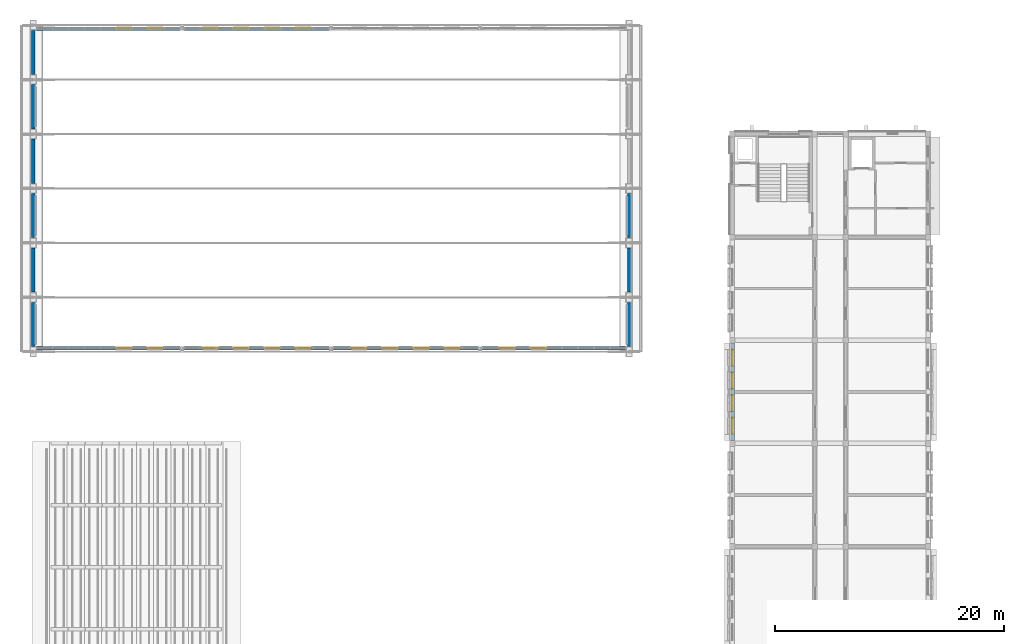
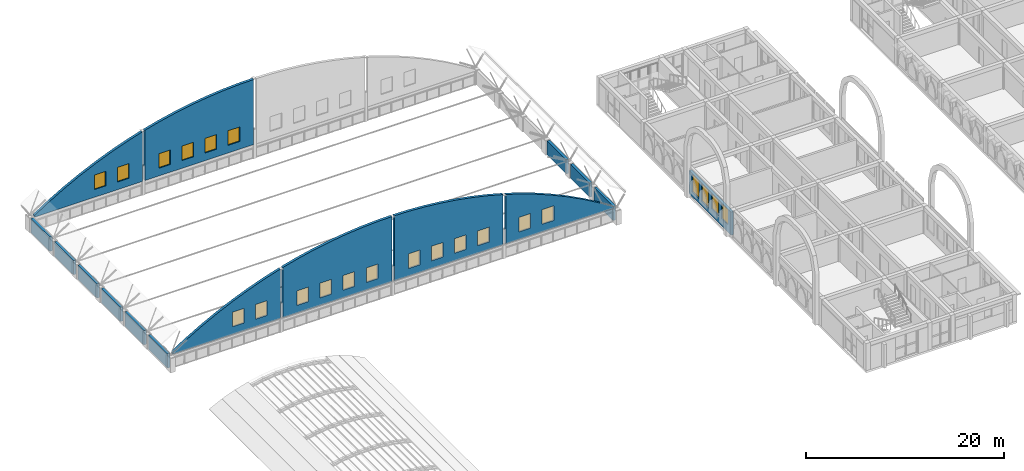
# One storey, part 36 of 65: 22 windows, 16 walls, 22 openings.
"""IFC4 building model written with IfcOpenShell, lengths in metres."""

from ifc_helpers import new_model, si_unit, direction, frame, frame_2d, origin, place, context, subcontext, project, spatial, polyline, rectangle, outline, extrude, material, layer, layer_set, type_object, element, fill, save


model = new_model("IFC4")

# Units and contexts
model_context = context("Model", 3, precision=1e-05, world=origin(), true_north=direction((0.0, 1.0)))
body_context = subcontext(model_context, "Body", "Model", "MODEL_VIEW")
ifc_project = project(units=[si_unit("LENGTHUNIT", "METRE"), si_unit("AREAUNIT", "SQUARE_METRE"), si_unit("VOLUMEUNIT", "CUBIC_METRE"), si_unit("PLANEANGLEUNIT", "RADIAN"), si_unit("MASSUNIT", "GRAM", prefix="KILO")], contexts=[model_context])

# Site, building, storey
site_placement = place(None, origin())
site = spatial("IfcSite", under=ifc_project, at=site_placement, CompositionType="ELEMENT")
building_placement = place(site_placement, origin())
building = spatial("IfcBuilding", under=site, at=building_placement, Name="Elbe Cascade School", CompositionType="ELEMENT")
storey_placement = place(building_placement, frame((0.0, 0.0, 11.699951171875)))
storey = spatial("IfcBuildingStorey", under=building, at=storey_placement, Name="L03", CompositionType="ELEMENT", Elevation=11.699951171875)

# Wall, openings, windows
ifc_material_1 = material(Name="Brick masonry - red clinker, cavity wall with render backing", Category="masonry")
ifc_layer_1 = layer(ifc_material_1, 0.300048828125)
ifc_layer_set_1 = layer_set([ifc_layer_1], Name="Brick masonry - red clinker, cavity wall with render backing")
wall_type_1 = type_object("IfcWallType", Name="Bars envelope External wall - clinker brick cavity, 300 upper floors", PredefinedType="STANDARD", material=ifc_layer_set_1)
wall_1_placement = place(storey_placement, frame((69.030029296875, 33.25, 0.0), z_axis=(0.0, 0.0, 1.0), x_axis=(0.0, 1.0, 0.0)))
wall_1 = element("IfcWall", 1, at=wall_1_placement, inside=storey, type_object=wall_type_1, Name="External wall W30 A.L03.w4", PredefinedType="STANDARD", context=body_context, shape_type="SweptSolid", body=[
    extrude(rectangle(XDim=8.5, YDim=0.300048828125, at=frame_2d((4.25, 0.0))), origin(), (0.0, 0.0, 1.0), 2.85009765625),
])
opening_1_placement = place(wall_1_placement, frame((0.580078125, 0.0, 0.89990234375)))
opening_1 = element("IfcOpeningElement", 2, at=opening_1_placement, cuts=wall_1, Name="Opening W3.020", PredefinedType="OPENING", context=body_context, shape_type="SweptSolid", body=[
    extrude(rectangle(XDim=1.39990234375, YDim=1.89990234375, at=frame_2d((0.699951171875, 0.949951171875))), frame((0.0, 0.159912109375, 0.0), z_axis=(0.0, -1.0, 0.0), x_axis=(1.0, 0.0, 0.0)), (0.0, 0.0, 1.0), 0.320068359375),
])
opening_2_placement = place(wall_1_placement, frame((2.56005859375, 0.0, 0.89990234375)))
opening_2 = element("IfcOpeningElement", 3, at=opening_2_placement, cuts=wall_1, Name="Opening W3.022", PredefinedType="OPENING", context=body_context, shape_type="SweptSolid", body=[
    extrude(rectangle(XDim=1.39990234375, YDim=1.89990234375, at=frame_2d((0.699951171875, 0.949951171875))), frame((0.0, 0.159912109375, 0.0), z_axis=(0.0, -1.0, 0.0), x_axis=(1.0, 0.0, 0.0)), (0.0, 0.0, 1.0), 0.320068359375),
])
opening_3_placement = place(wall_1_placement, frame((4.5400390625, 0.0, 0.60009765625)))
opening_3 = element("IfcOpeningElement", 4, at=opening_3_placement, cuts=wall_1, Name="Opening W3.024", PredefinedType="OPENING", context=body_context, shape_type="SweptSolid", body=[
    extrude(rectangle(XDim=1.39990234375, YDim=2.199951171875, at=frame_2d((0.699951171875, 1.10009765625))), frame((0.0, 0.159912109375, 0.0), z_axis=(0.0, -1.0, 0.0), x_axis=(1.0, 0.0, 0.0)), (0.0, 0.0, 1.0), 0.320068359375),
])
opening_4_placement = place(wall_1_placement, frame((6.52001953125, 0.0, 0.60009765625)))
opening_4 = element("IfcOpeningElement", 5, at=opening_4_placement, cuts=wall_1, Name="Opening W3.026", PredefinedType="OPENING", context=body_context, shape_type="SweptSolid", body=[
    extrude(rectangle(XDim=1.39990234375, YDim=2.199951171875, at=frame_2d((0.699951171875, 1.10009765625))), frame((0.0, 0.159912109375, 0.0), z_axis=(0.0, -1.0, 0.0), x_axis=(1.0, 0.0, 0.0)), (0.0, 0.0, 1.0), 0.320068359375),
])
ifc_material_2 = material(Name="Aluminium frame with double glazing, bronze anodised", Category="aluminium")
window_type_1 = type_object("IfcWindowType", Name="Bars envelope Window 1400 x 1900, laboratory and office, bench height sill, aluminium double glazed", PartitioningType="DOUBLE_PANEL_VERTICAL", PredefinedType="WINDOW", material=ifc_material_2)
window_1_placement = place(opening_1_placement, origin())
window_1 = element("IfcWindow", 6, at=window_1_placement, inside=storey, type_object=window_type_1, Name="Window WN6 A.L03.w4.1", OverallHeight=1.89990234375, OverallWidth=1.39990234375, PartitioningType="DOUBLE_PANEL_VERTICAL", PredefinedType="WINDOW", context=body_context, shape_type="SweptSolid", body=[
    extrude(rectangle(XDim=1.39990234375, YDim=1.89990234375, at=frame_2d((0.699951171875, 0.949951171875))), frame((0.0, 0.030029296875, 0.0), z_axis=(0.0, -1.0, 0.0), x_axis=(1.0, 0.0, 0.0)), (0.0, 0.0, 1.0), 0.06005859375),
])
fill(opening_1, window_1)
window_2_placement = place(opening_2_placement, origin())
window_2 = element("IfcWindow", 7, at=window_2_placement, inside=storey, type_object=window_type_1, Name="Window WN6 A.L03.w4.2", OverallHeight=1.89990234375, OverallWidth=1.39990234375, PartitioningType="DOUBLE_PANEL_VERTICAL", PredefinedType="WINDOW", context=body_context, shape_type="SweptSolid", body=[
    extrude(rectangle(XDim=1.39990234375, YDim=1.89990234375, at=frame_2d((0.699951171875, 0.949951171875))), frame((0.0, 0.030029296875, 0.0), z_axis=(0.0, -1.0, 0.0), x_axis=(1.0, 0.0, 0.0)), (0.0, 0.0, 1.0), 0.06005859375),
])
fill(opening_2, window_2)
ifc_material_3 = material(Name="Aluminium frame with double glazing, bronze anodised", Category="aluminium")
window_type_2 = type_object("IfcWindowType", Name="Bars envelope Window 1400 x 2200, classroom, aluminium double glazed", PartitioningType="DOUBLE_PANEL_VERTICAL", PredefinedType="WINDOW", material=ifc_material_3)
window_3_placement = place(opening_3_placement, origin())
window_3 = element("IfcWindow", 8, at=window_3_placement, inside=storey, type_object=window_type_2, Name="Window WN7 A.L03.w4.3", OverallHeight=2.199951171875, OverallWidth=1.39990234375, PartitioningType="DOUBLE_PANEL_VERTICAL", PredefinedType="WINDOW", context=body_context, shape_type="SweptSolid", body=[
    extrude(rectangle(XDim=1.39990234375, YDim=2.199951171875, at=frame_2d((0.699951171875, 1.10009765625))), frame((0.0, 0.030029296875, 0.0), z_axis=(0.0, -1.0, 0.0), x_axis=(1.0, 0.0, 0.0)), (0.0, 0.0, 1.0), 0.06005859375),
])
fill(opening_3, window_3)
window_4_placement = place(opening_4_placement, origin())
window_4 = element("IfcWindow", 9, at=window_4_placement, inside=storey, type_object=window_type_2, Name="Window WN7 A.L03.w4.4", OverallHeight=2.199951171875, OverallWidth=1.39990234375, PartitioningType="DOUBLE_PANEL_VERTICAL", PredefinedType="WINDOW", context=body_context, shape_type="SweptSolid", body=[
    extrude(rectangle(XDim=1.39990234375, YDim=2.199951171875, at=frame_2d((0.699951171875, 1.10009765625))), frame((0.0, 0.030029296875, 0.0), z_axis=(0.0, -1.0, 0.0), x_axis=(1.0, 0.0, 0.0)), (0.0, 0.0, 1.0), 0.06005859375),
])
fill(opening_4, window_4)

ifc_material_4 = material(Name="Brick masonry - red clinker", Category="masonry")
ifc_layer_2 = layer(ifc_material_4, 0.300048828125)
ifc_layer_set_2 = layer_set([ifc_layer_2], Name="Brick masonry - red clinker")
wall_type_2 = type_object("IfcWallType", Name="Hall brick gable wall 300", PredefinedType="SOLIDWALL", material=ifc_layer_set_2)
wall_2_placement = place(storey_placement, frame((8.300048828125, 41.300048828125, 1.75), z_axis=(0.0, 0.0, 1.0), x_axis=(1.0, 0.0, 0.0)))
wall_2 = element("IfcWall", 10, at=wall_2_placement, inside=storey, type_object=wall_type_2, Name="Brick gable S1", PredefinedType="SOLIDWALL", context=body_context, shape_type="SweptSolid", body=[
    extrude(outline(polyline([(0.0, 0.0), (12.550048828125, 0.0), (12.550048828125, 6.11328125), (10.843017578125, 5.572265625), (8.985595703125, 4.895751953125), (7.128662109375, 4.126953125), (5.271484375, 3.26025390625), (3.414306640625, 2.2900390625), (1.55712890625, 1.208251953125), (0.0, 0.203369140625), (0.0, 0.0)])), frame((0.0, 0.14990234375, 0.0), z_axis=(0.0, -1.0, 0.0), x_axis=(1.0, 0.0, 0.0)), (0.0, 0.0, 1.0), 0.300048828125),
])
opening_5_placement = place(wall_2_placement, frame((6.949951171875, 0.0, 0.949951171875)))
opening_5 = element("IfcOpeningElement", 11, at=opening_5_placement, cuts=wall_2, Name="Opening W3.083", PredefinedType="OPENING", context=body_context, shape_type="SweptSolid", body=[
    extrude(rectangle(XDim=1.35009765625, YDim=1.800048828125, at=frame_2d((0.675048828125, 0.89990234375))), frame((0.0, 0.159912109375, 0.0), z_axis=(0.0, -1.0, 0.0), x_axis=(1.0, 0.0, 0.0)), (0.0, 0.0, 1.0), 0.320068359375),
])
opening_6_placement = place(wall_2_placement, frame((9.64990234375, 0.0, 0.949951171875)))
opening_6 = element("IfcOpeningElement", 12, at=opening_6_placement, cuts=wall_2, Name="Opening W3.084", PredefinedType="OPENING", context=body_context, shape_type="SweptSolid", body=[
    extrude(rectangle(XDim=1.35009765625, YDim=1.800048828125, at=frame_2d((0.675048828125, 0.89990234375))), frame((0.0, 0.159912109375, 0.0), z_axis=(0.0, -1.0, 0.0), x_axis=(1.0, 0.0, 0.0)), (0.0, 0.0, 1.0), 0.320068359375),
])
ifc_material_5 = material(Name="Glass - double glazed low-E", Category="glass")
window_type_3 = type_object("IfcWindowType", Name="Hall gable window 1350x1800", PartitioningType="SINGLE_PANEL", PredefinedType="WINDOW", material=ifc_material_5)
window_5_placement = place(opening_5_placement, origin())
window_5 = element("IfcWindow", 13, at=window_5_placement, inside=storey, type_object=window_type_3, Name="Gable window S1.1", OverallHeight=1.800048828125, OverallWidth=1.35009765625, PartitioningType="SINGLE_PANEL", PredefinedType="WINDOW", context=body_context, shape_type="SweptSolid", body=[
    extrude(rectangle(XDim=1.35009765625, YDim=1.800048828125, at=frame_2d((0.675048828125, 0.89990234375))), frame((0.0, 0.030029296875, 0.0), z_axis=(0.0, -1.0, 0.0), x_axis=(1.0, 0.0, 0.0)), (0.0, 0.0, 1.0), 0.06005859375),
])
fill(opening_5, window_5)
window_6_placement = place(opening_6_placement, origin())
window_6 = element("IfcWindow", 14, at=window_6_placement, inside=storey, type_object=window_type_3, Name="Gable window S1.2", OverallHeight=1.800048828125, OverallWidth=1.35009765625, PartitioningType="SINGLE_PANEL", PredefinedType="WINDOW", context=body_context, shape_type="SweptSolid", body=[
    extrude(rectangle(XDim=1.35009765625, YDim=1.800048828125, at=frame_2d((0.675048828125, 0.89990234375))), frame((0.0, 0.030029296875, 0.0), z_axis=(0.0, -1.0, 0.0), x_axis=(1.0, 0.0, 0.0)), (0.0, 0.0, 1.0), 0.06005859375),
])
fill(opening_6, window_6)

wall_3_placement = place(storey_placement, frame((21.14990234375, 41.300048828125, 1.75), z_axis=(0.0, 0.0, 1.0), x_axis=(1.0, 0.0, 0.0)))
wall_3 = element("IfcWall", 15, at=wall_3_placement, inside=storey, type_object=wall_type_2, Name="Brick gable S2", PredefinedType="SOLIDWALL", context=body_context, shape_type="SweptSolid", body=[
    extrude(outline(polyline([(0.0, 0.0), (12.7001953125, 0.0), (12.699951171875, 8.027587890625), (10.992919921875, 7.9931640625), (9.1357421875, 7.880615234375), (7.278564453125, 7.692626953125), (5.42138671875, 7.42822265625), (3.564208984375, 7.0859375), (1.70703125, 6.664306640625), (0.0, 6.20263671875), (0.0, 0.0)])), frame((0.0, 0.14990234375, 0.0), z_axis=(0.0, -1.0, 0.0), x_axis=(1.0, 0.0, 0.0)), (0.0, 0.0, 1.0), 0.300048828125),
])
opening_7_placement = place(wall_3_placement, frame((1.625, 0.0, 0.949951171875)))
opening_7 = element("IfcOpeningElement", 16, at=opening_7_placement, cuts=wall_3, Name="Opening W3.085", PredefinedType="OPENING", context=body_context, shape_type="SweptSolid", body=[
    extrude(rectangle(XDim=1.35009765625, YDim=1.800048828125, at=frame_2d((0.675048828125, 0.89990234375))), frame((0.0, 0.159912109375, 0.0), z_axis=(0.0, -1.0, 0.0), x_axis=(1.0, 0.0, 0.0)), (0.0, 0.0, 1.0), 0.320068359375),
])
opening_8_placement = place(wall_3_placement, frame((4.324951171875, 0.0, 0.949951171875)))
opening_8 = element("IfcOpeningElement", 17, at=opening_8_placement, cuts=wall_3, Name="Opening W3.086", PredefinedType="OPENING", context=body_context, shape_type="SweptSolid", body=[
    extrude(rectangle(XDim=1.35009765625, YDim=1.800048828125, at=frame_2d((0.675048828125, 0.89990234375))), frame((0.0, 0.159912109375, 0.0), z_axis=(0.0, -1.0, 0.0), x_axis=(1.0, 0.0, 0.0)), (0.0, 0.0, 1.0), 0.320068359375),
])
opening_9_placement = place(wall_3_placement, frame((7.02490234375, 0.0, 0.949951171875)))
opening_9 = element("IfcOpeningElement", 18, at=opening_9_placement, cuts=wall_3, Name="Opening W3.087", PredefinedType="OPENING", context=body_context, shape_type="SweptSolid", body=[
    extrude(rectangle(XDim=1.35009765625, YDim=1.800048828125, at=frame_2d((0.675048828125, 0.89990234375))), frame((0.0, 0.159912109375, 0.0), z_axis=(0.0, -1.0, 0.0), x_axis=(1.0, 0.0, 0.0)), (0.0, 0.0, 1.0), 0.320068359375),
])
opening_10_placement = place(wall_3_placement, frame((9.72509765625, 0.0, 0.949951171875)))
opening_10 = element("IfcOpeningElement", 19, at=opening_10_placement, cuts=wall_3, Name="Opening W3.088", PredefinedType="OPENING", context=body_context, shape_type="SweptSolid", body=[
    extrude(rectangle(XDim=1.35009765625, YDim=1.800048828125, at=frame_2d((0.675048828125, 0.89990234375))), frame((0.0, 0.159912109375, 0.0), z_axis=(0.0, -1.0, 0.0), x_axis=(1.0, 0.0, 0.0)), (0.0, 0.0, 1.0), 0.320068359375),
])
window_7_placement = place(opening_7_placement, origin())
window_7 = element("IfcWindow", 20, at=window_7_placement, inside=storey, type_object=window_type_3, Name="Gable window S2.1", OverallHeight=1.800048828125, OverallWidth=1.35009765625, PartitioningType="SINGLE_PANEL", PredefinedType="WINDOW", context=body_context, shape_type="SweptSolid", body=[
    extrude(rectangle(XDim=1.35009765625, YDim=1.800048828125, at=frame_2d((0.675048828125, 0.89990234375))), frame((0.0, 0.030029296875, 0.0), z_axis=(0.0, -1.0, 0.0), x_axis=(1.0, 0.0, 0.0)), (0.0, 0.0, 1.0), 0.06005859375),
])
fill(opening_7, window_7)
window_8_placement = place(opening_8_placement, origin())
window_8 = element("IfcWindow", 21, at=window_8_placement, inside=storey, type_object=window_type_3, Name="Gable window S2.2", OverallHeight=1.800048828125, OverallWidth=1.35009765625, PartitioningType="SINGLE_PANEL", PredefinedType="WINDOW", context=body_context, shape_type="SweptSolid", body=[
    extrude(rectangle(XDim=1.35009765625, YDim=1.800048828125, at=frame_2d((0.675048828125, 0.89990234375))), frame((0.0, 0.030029296875, 0.0), z_axis=(0.0, -1.0, 0.0), x_axis=(1.0, 0.0, 0.0)), (0.0, 0.0, 1.0), 0.06005859375),
])
fill(opening_8, window_8)
window_9_placement = place(opening_9_placement, origin())
window_9 = element("IfcWindow", 22, at=window_9_placement, inside=storey, type_object=window_type_3, Name="Gable window S2.3", OverallHeight=1.800048828125, OverallWidth=1.35009765625, PartitioningType="SINGLE_PANEL", PredefinedType="WINDOW", context=body_context, shape_type="SweptSolid", body=[
    extrude(rectangle(XDim=1.35009765625, YDim=1.800048828125, at=frame_2d((0.675048828125, 0.89990234375))), frame((0.0, 0.030029296875, 0.0), z_axis=(0.0, -1.0, 0.0), x_axis=(1.0, 0.0, 0.0)), (0.0, 0.0, 1.0), 0.06005859375),
])
fill(opening_9, window_9)
window_10_placement = place(opening_10_placement, origin())
window_10 = element("IfcWindow", 23, at=window_10_placement, inside=storey, type_object=window_type_3, Name="Gable window S2.4", OverallHeight=1.800048828125, OverallWidth=1.35009765625, PartitioningType="SINGLE_PANEL", PredefinedType="WINDOW", context=body_context, shape_type="SweptSolid", body=[
    extrude(rectangle(XDim=1.35009765625, YDim=1.800048828125, at=frame_2d((0.675048828125, 0.89990234375))), frame((0.0, 0.030029296875, 0.0), z_axis=(0.0, -1.0, 0.0), x_axis=(1.0, 0.0, 0.0)), (0.0, 0.0, 1.0), 0.06005859375),
])
fill(opening_10, window_10)

wall_4_placement = place(storey_placement, frame((34.14990234375, 41.300048828125, 1.75), z_axis=(0.0, 0.0, 1.0), x_axis=(1.0, 0.0, 0.0)))
wall_4 = element("IfcWall", 24, at=wall_4_placement, inside=storey, type_object=wall_type_2, Name="Brick gable S3", PredefinedType="SOLIDWALL", context=body_context, shape_type="SweptSolid", body=[
    extrude(outline(polyline([(0.0, 0.0), (12.7001953125, 0.0), (12.699951171875, 6.20263671875), (10.992919921875, 6.664306640625), (9.1357421875, 7.0859375), (7.278564453125, 7.42822265625), (5.42138671875, 7.692626953125), (3.564208984375, 7.880615234375), (1.70703125, 7.9931640625), (0.0, 8.027587890625), (0.0, 0.0)])), frame((0.0, 0.14990234375, 0.0), z_axis=(0.0, -1.0, 0.0), x_axis=(1.0, 0.0, 0.0)), (0.0, 0.0, 1.0), 0.300048828125),
])
opening_11_placement = place(wall_4_placement, frame((1.625, 0.0, 0.949951171875)))
opening_11 = element("IfcOpeningElement", 25, at=opening_11_placement, cuts=wall_4, Name="Opening W3.089", PredefinedType="OPENING", context=body_context, shape_type="SweptSolid", body=[
    extrude(rectangle(XDim=1.35009765625, YDim=1.800048828125, at=frame_2d((0.675048828125, 0.89990234375))), frame((0.0, 0.159912109375, 0.0), z_axis=(0.0, -1.0, 0.0), x_axis=(1.0, 0.0, 0.0)), (0.0, 0.0, 1.0), 0.320068359375),
])
opening_12_placement = place(wall_4_placement, frame((4.324951171875, 0.0, 0.949951171875)))
opening_12 = element("IfcOpeningElement", 26, at=opening_12_placement, cuts=wall_4, Name="Opening W3.090", PredefinedType="OPENING", context=body_context, shape_type="SweptSolid", body=[
    extrude(rectangle(XDim=1.35009765625, YDim=1.800048828125, at=frame_2d((0.675048828125, 0.89990234375))), frame((0.0, 0.159912109375, 0.0), z_axis=(0.0, -1.0, 0.0), x_axis=(1.0, 0.0, 0.0)), (0.0, 0.0, 1.0), 0.320068359375),
])
opening_13_placement = place(wall_4_placement, frame((7.02490234375, 0.0, 0.949951171875)))
opening_13 = element("IfcOpeningElement", 27, at=opening_13_placement, cuts=wall_4, Name="Opening W3.091", PredefinedType="OPENING", context=body_context, shape_type="SweptSolid", body=[
    extrude(rectangle(XDim=1.35009765625, YDim=1.800048828125, at=frame_2d((0.675048828125, 0.89990234375))), frame((0.0, 0.159912109375, 0.0), z_axis=(0.0, -1.0, 0.0), x_axis=(1.0, 0.0, 0.0)), (0.0, 0.0, 1.0), 0.320068359375),
])
opening_14_placement = place(wall_4_placement, frame((9.72509765625, 0.0, 0.949951171875)))
opening_14 = element("IfcOpeningElement", 28, at=opening_14_placement, cuts=wall_4, Name="Opening W3.092", PredefinedType="OPENING", context=body_context, shape_type="SweptSolid", body=[
    extrude(rectangle(XDim=1.35009765625, YDim=1.800048828125, at=frame_2d((0.675048828125, 0.89990234375))), frame((0.0, 0.159912109375, 0.0), z_axis=(0.0, -1.0, 0.0), x_axis=(1.0, 0.0, 0.0)), (0.0, 0.0, 1.0), 0.320068359375),
])
window_11_placement = place(opening_11_placement, origin())
window_11 = element("IfcWindow", 29, at=window_11_placement, inside=storey, type_object=window_type_3, Name="Gable window S3.1", OverallHeight=1.800048828125, OverallWidth=1.35009765625, PartitioningType="SINGLE_PANEL", PredefinedType="WINDOW", context=body_context, shape_type="SweptSolid", body=[
    extrude(rectangle(XDim=1.35009765625, YDim=1.800048828125, at=frame_2d((0.675048828125, 0.89990234375))), frame((0.0, 0.030029296875, 0.0), z_axis=(0.0, -1.0, 0.0), x_axis=(1.0, 0.0, 0.0)), (0.0, 0.0, 1.0), 0.06005859375),
])
fill(opening_11, window_11)
window_12_placement = place(opening_12_placement, origin())
window_12 = element("IfcWindow", 30, at=window_12_placement, inside=storey, type_object=window_type_3, Name="Gable window S3.2", OverallHeight=1.800048828125, OverallWidth=1.35009765625, PartitioningType="SINGLE_PANEL", PredefinedType="WINDOW", context=body_context, shape_type="SweptSolid", body=[
    extrude(rectangle(XDim=1.35009765625, YDim=1.800048828125, at=frame_2d((0.675048828125, 0.89990234375))), frame((0.0, 0.030029296875, 0.0), z_axis=(0.0, -1.0, 0.0), x_axis=(1.0, 0.0, 0.0)), (0.0, 0.0, 1.0), 0.06005859375),
])
fill(opening_12, window_12)
window_13_placement = place(opening_13_placement, origin())
window_13 = element("IfcWindow", 31, at=window_13_placement, inside=storey, type_object=window_type_3, Name="Gable window S3.3", OverallHeight=1.800048828125, OverallWidth=1.35009765625, PartitioningType="SINGLE_PANEL", PredefinedType="WINDOW", context=body_context, shape_type="SweptSolid", body=[
    extrude(rectangle(XDim=1.35009765625, YDim=1.800048828125, at=frame_2d((0.675048828125, 0.89990234375))), frame((0.0, 0.030029296875, 0.0), z_axis=(0.0, -1.0, 0.0), x_axis=(1.0, 0.0, 0.0)), (0.0, 0.0, 1.0), 0.06005859375),
])
fill(opening_13, window_13)
window_14_placement = place(opening_14_placement, origin())
window_14 = element("IfcWindow", 32, at=window_14_placement, inside=storey, type_object=window_type_3, Name="Gable window S3.4", OverallHeight=1.800048828125, OverallWidth=1.35009765625, PartitioningType="SINGLE_PANEL", PredefinedType="WINDOW", context=body_context, shape_type="SweptSolid", body=[
    extrude(rectangle(XDim=1.35009765625, YDim=1.800048828125, at=frame_2d((0.675048828125, 0.89990234375))), frame((0.0, 0.030029296875, 0.0), z_axis=(0.0, -1.0, 0.0), x_axis=(1.0, 0.0, 0.0)), (0.0, 0.0, 1.0), 0.06005859375),
])
fill(opening_14, window_14)

wall_5_placement = place(storey_placement, frame((47.14990234375, 41.300048828125, 1.75), z_axis=(0.0, 0.0, 1.0), x_axis=(1.0, 0.0, 0.0)))
wall_5 = element("IfcWall", 33, at=wall_5_placement, inside=storey, type_object=wall_type_2, Name="Brick gable S4", PredefinedType="SOLIDWALL", context=body_context, shape_type="SweptSolid", body=[
    extrude(outline(polyline([(0.0, 0.0), (12.550048828125, 0.0), (12.550048828125, 0.203369140625), (10.992919921875, 1.208251953125), (9.1357421875, 2.2900390625), (7.278564453125, 3.26025390625), (5.42138671875, 4.126953125), (3.564208984375, 4.895751953125), (1.70703125, 5.572265625), (0.0, 6.11328125), (0.0, 0.0)])), frame((0.0, 0.14990234375, 0.0), z_axis=(0.0, -1.0, 0.0), x_axis=(1.0, 0.0, 0.0)), (0.0, 0.0, 1.0), 0.300048828125),
])
opening_15_placement = place(wall_5_placement, frame((1.550048828125, 0.0, 0.949951171875)))
opening_15 = element("IfcOpeningElement", 34, at=opening_15_placement, cuts=wall_5, Name="Opening W3.093", PredefinedType="OPENING", context=body_context, shape_type="SweptSolid", body=[
    extrude(rectangle(XDim=1.35009765625, YDim=1.800048828125, at=frame_2d((0.675048828125, 0.89990234375))), frame((0.0, 0.159912109375, 0.0), z_axis=(0.0, -1.0, 0.0), x_axis=(1.0, 0.0, 0.0)), (0.0, 0.0, 1.0), 0.320068359375),
])
opening_16_placement = place(wall_5_placement, frame((4.25, 0.0, 0.949951171875)))
opening_16 = element("IfcOpeningElement", 35, at=opening_16_placement, cuts=wall_5, Name="Opening W3.094", PredefinedType="OPENING", context=body_context, shape_type="SweptSolid", body=[
    extrude(rectangle(XDim=1.35009765625, YDim=1.800048828125, at=frame_2d((0.675048828125, 0.89990234375))), frame((0.0, 0.159912109375, 0.0), z_axis=(0.0, -1.0, 0.0), x_axis=(1.0, 0.0, 0.0)), (0.0, 0.0, 1.0), 0.320068359375),
])
window_15_placement = place(opening_15_placement, origin())
window_15 = element("IfcWindow", 36, at=window_15_placement, inside=storey, type_object=window_type_3, Name="Gable window S4.1", OverallHeight=1.800048828125, OverallWidth=1.35009765625, PartitioningType="SINGLE_PANEL", PredefinedType="WINDOW", context=body_context, shape_type="SweptSolid", body=[
    extrude(rectangle(XDim=1.35009765625, YDim=1.800048828125, at=frame_2d((0.675048828125, 0.89990234375))), frame((0.0, 0.030029296875, 0.0), z_axis=(0.0, -1.0, 0.0), x_axis=(1.0, 0.0, 0.0)), (0.0, 0.0, 1.0), 0.06005859375),
])
fill(opening_15, window_15)
window_16_placement = place(opening_16_placement, origin())
window_16 = element("IfcWindow", 37, at=window_16_placement, inside=storey, type_object=window_type_3, Name="Gable window S4.2", OverallHeight=1.800048828125, OverallWidth=1.35009765625, PartitioningType="SINGLE_PANEL", PredefinedType="WINDOW", context=body_context, shape_type="SweptSolid", body=[
    extrude(rectangle(XDim=1.35009765625, YDim=1.800048828125, at=frame_2d((0.675048828125, 0.89990234375))), frame((0.0, 0.030029296875, 0.0), z_axis=(0.0, -1.0, 0.0), x_axis=(1.0, 0.0, 0.0)), (0.0, 0.0, 1.0), 0.06005859375),
])
fill(opening_16, window_16)

wall_6_placement = place(storey_placement, frame((8.300048828125, 69.199951171875, 1.75), z_axis=(0.0, 0.0, 1.0), x_axis=(1.0, 0.0, 0.0)))
wall_6 = element("IfcWall", 38, at=wall_6_placement, inside=storey, type_object=wall_type_2, Name="Brick gable N1", PredefinedType="SOLIDWALL", context=body_context, shape_type="SweptSolid", body=[
    extrude(outline(polyline([(0.0, 0.0), (12.550048828125, 0.0), (12.550048828125, 6.11328125), (10.843017578125, 5.572265625), (8.985595703125, 4.895751953125), (7.128662109375, 4.126953125), (5.271484375, 3.26025390625), (3.414306640625, 2.2900390625), (1.55712890625, 1.208251953125), (0.0, 0.203369140625), (0.0, 0.0)])), frame((0.0, 0.14990234375, 0.0), z_axis=(0.0, -1.0, 0.0), x_axis=(1.0, 0.0, 0.0)), (0.0, 0.0, 1.0), 0.300048828125),
])
opening_17_placement = place(wall_6_placement, frame((6.949951171875, 0.0, 0.949951171875)))
opening_17 = element("IfcOpeningElement", 39, at=opening_17_placement, cuts=wall_6, Name="Opening W3.095", PredefinedType="OPENING", context=body_context, shape_type="SweptSolid", body=[
    extrude(rectangle(XDim=1.35009765625, YDim=1.800048828125, at=frame_2d((0.675048828125, 0.89990234375))), frame((0.0, 0.159912109375, 0.0), z_axis=(0.0, -1.0, 0.0), x_axis=(1.0, 0.0, 0.0)), (0.0, 0.0, 1.0), 0.320068359375),
])
opening_18_placement = place(wall_6_placement, frame((9.64990234375, 0.0, 0.949951171875)))
opening_18 = element("IfcOpeningElement", 40, at=opening_18_placement, cuts=wall_6, Name="Opening W3.096", PredefinedType="OPENING", context=body_context, shape_type="SweptSolid", body=[
    extrude(rectangle(XDim=1.35009765625, YDim=1.800048828125, at=frame_2d((0.675048828125, 0.89990234375))), frame((0.0, 0.159912109375, 0.0), z_axis=(0.0, -1.0, 0.0), x_axis=(1.0, 0.0, 0.0)), (0.0, 0.0, 1.0), 0.320068359375),
])
window_17_placement = place(opening_17_placement, origin())
window_17 = element("IfcWindow", 41, at=window_17_placement, inside=storey, type_object=window_type_3, Name="Gable window N1.1", OverallHeight=1.800048828125, OverallWidth=1.35009765625, PartitioningType="SINGLE_PANEL", PredefinedType="WINDOW", context=body_context, shape_type="SweptSolid", body=[
    extrude(rectangle(XDim=1.35009765625, YDim=1.800048828125, at=frame_2d((0.675048828125, 0.89990234375))), frame((0.0, 0.030029296875, 0.0), z_axis=(0.0, -1.0, 0.0), x_axis=(1.0, 0.0, 0.0)), (0.0, 0.0, 1.0), 0.06005859375),
])
fill(opening_17, window_17)
window_18_placement = place(opening_18_placement, origin())
window_18 = element("IfcWindow", 42, at=window_18_placement, inside=storey, type_object=window_type_3, Name="Gable window N1.2", OverallHeight=1.800048828125, OverallWidth=1.35009765625, PartitioningType="SINGLE_PANEL", PredefinedType="WINDOW", context=body_context, shape_type="SweptSolid", body=[
    extrude(rectangle(XDim=1.35009765625, YDim=1.800048828125, at=frame_2d((0.675048828125, 0.89990234375))), frame((0.0, 0.030029296875, 0.0), z_axis=(0.0, -1.0, 0.0), x_axis=(1.0, 0.0, 0.0)), (0.0, 0.0, 1.0), 0.06005859375),
])
fill(opening_18, window_18)

wall_7_placement = place(storey_placement, frame((21.14990234375, 69.199951171875, 1.75), z_axis=(0.0, 0.0, 1.0), x_axis=(1.0, 0.0, 0.0)))
wall_7 = element("IfcWall", 43, at=wall_7_placement, inside=storey, type_object=wall_type_2, Name="Brick gable N2", PredefinedType="SOLIDWALL", context=body_context, shape_type="SweptSolid", body=[
    extrude(outline(polyline([(0.0, 0.0), (12.7001953125, 0.0), (12.699951171875, 8.027587890625), (10.992919921875, 7.9931640625), (9.1357421875, 7.880615234375), (7.278564453125, 7.692626953125), (5.42138671875, 7.42822265625), (3.564208984375, 7.0859375), (1.70703125, 6.664306640625), (0.0, 6.20263671875), (0.0, 0.0)])), frame((0.0, 0.14990234375, 0.0), z_axis=(0.0, -1.0, 0.0), x_axis=(1.0, 0.0, 0.0)), (0.0, 0.0, 1.0), 0.300048828125),
])
opening_19_placement = place(wall_7_placement, frame((1.625, 0.0, 0.949951171875)))
opening_19 = element("IfcOpeningElement", 44, at=opening_19_placement, cuts=wall_7, Name="Opening W3.097", PredefinedType="OPENING", context=body_context, shape_type="SweptSolid", body=[
    extrude(rectangle(XDim=1.35009765625, YDim=1.800048828125, at=frame_2d((0.675048828125, 0.89990234375))), frame((0.0, 0.159912109375, 0.0), z_axis=(0.0, -1.0, 0.0), x_axis=(1.0, 0.0, 0.0)), (0.0, 0.0, 1.0), 0.320068359375),
])
opening_20_placement = place(wall_7_placement, frame((4.324951171875, 0.0, 0.949951171875)))
opening_20 = element("IfcOpeningElement", 45, at=opening_20_placement, cuts=wall_7, Name="Opening W3.098", PredefinedType="OPENING", context=body_context, shape_type="SweptSolid", body=[
    extrude(rectangle(XDim=1.35009765625, YDim=1.800048828125, at=frame_2d((0.675048828125, 0.89990234375))), frame((0.0, 0.159912109375, 0.0), z_axis=(0.0, -1.0, 0.0), x_axis=(1.0, 0.0, 0.0)), (0.0, 0.0, 1.0), 0.320068359375),
])
opening_21_placement = place(wall_7_placement, frame((7.02490234375, 0.0, 0.949951171875)))
opening_21 = element("IfcOpeningElement", 46, at=opening_21_placement, cuts=wall_7, Name="Opening W3.099", PredefinedType="OPENING", context=body_context, shape_type="SweptSolid", body=[
    extrude(rectangle(XDim=1.35009765625, YDim=1.800048828125, at=frame_2d((0.675048828125, 0.89990234375))), frame((0.0, 0.159912109375, 0.0), z_axis=(0.0, -1.0, 0.0), x_axis=(1.0, 0.0, 0.0)), (0.0, 0.0, 1.0), 0.320068359375),
])
opening_22_placement = place(wall_7_placement, frame((9.72509765625, 0.0, 0.949951171875)))
opening_22 = element("IfcOpeningElement", 47, at=opening_22_placement, cuts=wall_7, Name="Opening W3.100", PredefinedType="OPENING", context=body_context, shape_type="SweptSolid", body=[
    extrude(rectangle(XDim=1.35009765625, YDim=1.800048828125, at=frame_2d((0.675048828125, 0.89990234375))), frame((0.0, 0.159912109375, 0.0), z_axis=(0.0, -1.0, 0.0), x_axis=(1.0, 0.0, 0.0)), (0.0, 0.0, 1.0), 0.320068359375),
])
window_19_placement = place(opening_19_placement, origin())
window_19 = element("IfcWindow", 48, at=window_19_placement, inside=storey, type_object=window_type_3, Name="Gable window N2.1", OverallHeight=1.800048828125, OverallWidth=1.35009765625, PartitioningType="SINGLE_PANEL", PredefinedType="WINDOW", context=body_context, shape_type="SweptSolid", body=[
    extrude(rectangle(XDim=1.35009765625, YDim=1.800048828125, at=frame_2d((0.675048828125, 0.89990234375))), frame((0.0, 0.030029296875, 0.0), z_axis=(0.0, -1.0, 0.0), x_axis=(1.0, 0.0, 0.0)), (0.0, 0.0, 1.0), 0.06005859375),
])
fill(opening_19, window_19)
window_20_placement = place(opening_20_placement, origin())
window_20 = element("IfcWindow", 49, at=window_20_placement, inside=storey, type_object=window_type_3, Name="Gable window N2.2", OverallHeight=1.800048828125, OverallWidth=1.35009765625, PartitioningType="SINGLE_PANEL", PredefinedType="WINDOW", context=body_context, shape_type="SweptSolid", body=[
    extrude(rectangle(XDim=1.35009765625, YDim=1.800048828125, at=frame_2d((0.675048828125, 0.89990234375))), frame((0.0, 0.030029296875, 0.0), z_axis=(0.0, -1.0, 0.0), x_axis=(1.0, 0.0, 0.0)), (0.0, 0.0, 1.0), 0.06005859375),
])
fill(opening_20, window_20)
window_21_placement = place(opening_21_placement, origin())
window_21 = element("IfcWindow", 50, at=window_21_placement, inside=storey, type_object=window_type_3, Name="Gable window N2.3", OverallHeight=1.800048828125, OverallWidth=1.35009765625, PartitioningType="SINGLE_PANEL", PredefinedType="WINDOW", context=body_context, shape_type="SweptSolid", body=[
    extrude(rectangle(XDim=1.35009765625, YDim=1.800048828125, at=frame_2d((0.675048828125, 0.89990234375))), frame((0.0, 0.030029296875, 0.0), z_axis=(0.0, -1.0, 0.0), x_axis=(1.0, 0.0, 0.0)), (0.0, 0.0, 1.0), 0.06005859375),
])
fill(opening_21, window_21)
window_22_placement = place(opening_22_placement, origin())
window_22 = element("IfcWindow", 51, at=window_22_placement, inside=storey, type_object=window_type_3, Name="Gable window N2.4", OverallHeight=1.800048828125, OverallWidth=1.35009765625, PartitioningType="SINGLE_PANEL", PredefinedType="WINDOW", context=body_context, shape_type="SweptSolid", body=[
    extrude(rectangle(XDim=1.35009765625, YDim=1.800048828125, at=frame_2d((0.675048828125, 0.89990234375))), frame((0.0, 0.030029296875, 0.0), z_axis=(0.0, -1.0, 0.0), x_axis=(1.0, 0.0, 0.0)), (0.0, 0.0, 1.0), 0.06005859375),
])
fill(opening_22, window_22)

# Walls
ifc_material_6 = material(Name="Concrete C30/37 wall", Category="concrete")
ifc_layer_3 = layer(ifc_material_6, 0.300048828125)
ifc_layer_set_3 = layer_set([ifc_layer_3], Name="Concrete C30/37 wall")
wall_type_3 = type_object("IfcWallType", Name="Hall wall Concrete C30/37 300", PredefinedType="SOLIDWALL", material=ifc_layer_set_3)
for number, where, z_axis, x_axis, name in (
    (52, (8.0, 41.449951171875, 0.0), (0.0, 0.0, 1.0), (0.0, 1.0, 0.0), "Hall wall W1"),
    (53, (8.0, 46.199951171875, 0.0), (0.0, 0.0, 1.0), (0.0, 1.0, 0.0), "Hall wall W2"),
    (54, (8.0, 50.949951171875, 0.0), (0.0, 0.0, 1.0), (0.0, 1.0, 0.0), "Hall wall W3"),
    (55, (8.0, 55.699951171875, 0.0), (0.0, 0.0, 1.0), (0.0, 1.0, 0.0), "Hall wall W4"),
    (56, (8.0, 60.449951171875, 0.0), (0.0, 0.0, 1.0), (0.0, 1.0, 0.0), "Hall wall W5"),
    (57, (8.0, 65.199951171875, 0.0), (0.0, 0.0, 1.0), (0.0, 1.0, 0.0), "Hall wall W6"),
    (58, (60.0, 41.449951171875, 0.0), (0.0, 0.0, 1.0), (0.0, 1.0, 0.0), "Hall wall E1"),
    (59, (60.0, 46.199951171875, 0.0), (0.0, 0.0, 1.0), (0.0, 1.0, 0.0), "Hall wall E2"),
    (60, (60.0, 50.949951171875, 0.0), (0.0, 0.0, 1.0), (0.0, 1.0, 0.0), "Hall wall E3"),
):
    element("IfcWall", number, at=place(storey_placement, frame(where, z_axis=z_axis, x_axis=x_axis)), inside=storey, type_object=wall_type_3, Name=name, PredefinedType="SOLIDWALL", context=body_context, shape_type="SweptSolid", body=[
        extrude(rectangle(XDim=3.85009765625, YDim=0.300048828125, at=frame_2d((1.925048828125, 0.0))), origin(), (0.0, 0.0, 1.0), 1.75),
    ])

save(model, "model.ifc")
